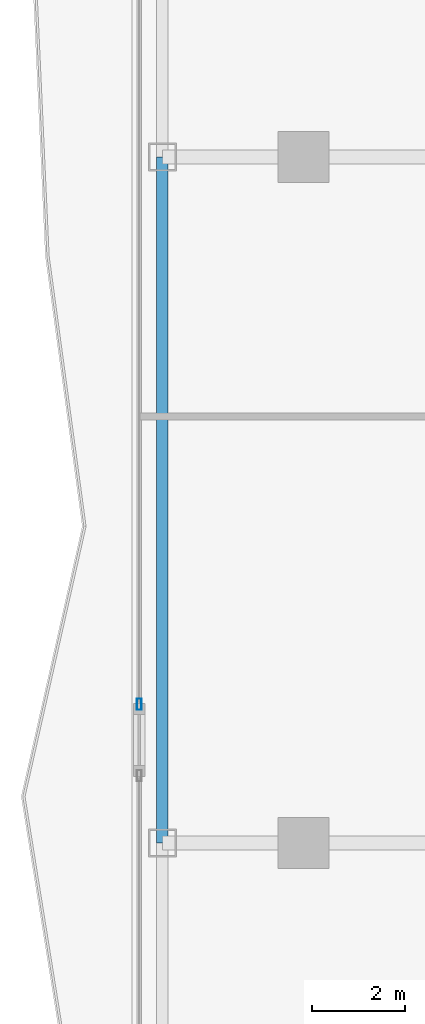
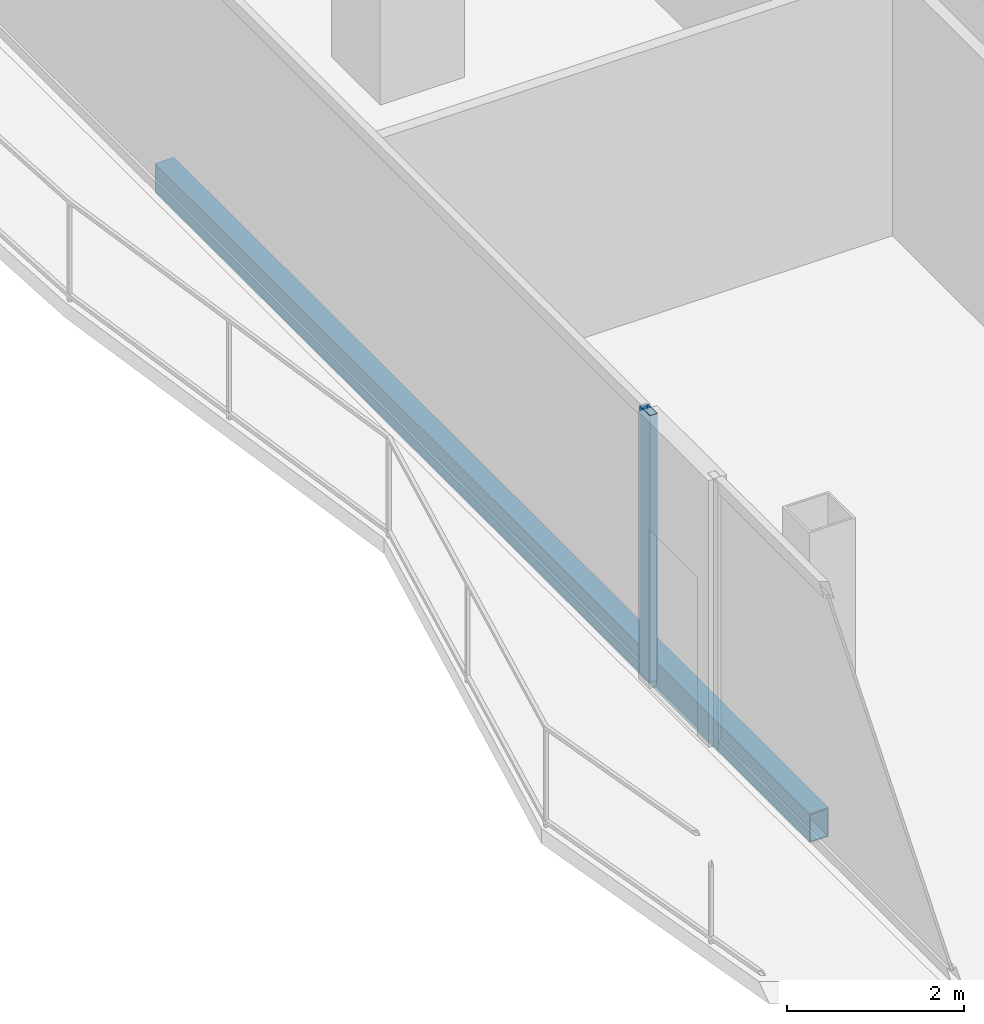
# One storey, part 8 of 27: 1 beam, 1 member, 1 element without a shape of its own.
"""IFC4 building model written with IfcOpenShell, lengths in metres."""

from ifc_helpers import new_model, si_unit, direction, frame, origin, origin_2d, place, context, subcontext, project, spatial, hollow_rectangle, extrude, material, layer, layer_set, material_profile, profile_set, type_object, element, aggregate, save


model = new_model("IFC4")

# Units and contexts
model_context = context("Model", 3, precision=1e-05, world=origin(), true_north=direction((0.0, 1.0)))
body_context = subcontext(model_context, "Body", "Model", "MODEL_VIEW")
ifc_project = project(units=[si_unit("LENGTHUNIT", "METRE"), si_unit("AREAUNIT", "SQUARE_METRE"), si_unit("VOLUMEUNIT", "CUBIC_METRE"), si_unit("PLANEANGLEUNIT", "RADIAN"), si_unit("MASSUNIT", "GRAM", prefix="KILO")], contexts=[model_context])

# Site, building, storey
site_placement = place(None, origin())
site = spatial("IfcSite", under=ifc_project, at=site_placement, CompositionType="ELEMENT")
building_placement = place(site_placement, origin())
building = spatial("IfcBuilding", under=site, at=building_placement, Name="Khorvyn Point Tower", CompositionType="ELEMENT")
storey_placement = place(building_placement, frame((0.0, 0.0, 227.39990234375)))
storey = spatial("IfcBuildingStorey", under=building, at=storey_placement, Name="L56", CompositionType="ELEMENT", Elevation=227.39990234375)

# Curtain wall, member
ifc_material_1 = material(Name="Anodised aluminium 6063-T6 and laminated Low-E glass", Category="aluminium")
ifc_layer = layer(ifc_material_1, 0.18994140625)
ifc_layer_set = layer_set([ifc_layer], Name="Stick-Built Acoustic Curtain Wall CW-SYS-03")
curtain_wall_type = type_object("IfcCurtainWallType", Name="Stick-Built Acoustic Curtain Wall CW-SYS-03", PredefinedType="NOTDEFINED", material=ifc_layer_set)
curtain_wall_placement = place(storey_placement, origin())
curtain_wall = element("IfcCurtainWall", 1, at=curtain_wall_placement, inside=storey, type_object=curtain_wall_type, Name="Curtain Wall", PredefinedType="NOTDEFINED")
ifc_material_2 = material(Name="Anodised aluminium 6063-T6", Category="aluminium")
ifc_material_profile_1 = material_profile(ifc_material_2, hollow_rectangle(XDim=0.10009765625, YDim=0.239990234375, WallThickness=0.0048828125, at=origin_2d()))
ifc_profile_set_1 = profile_set([ifc_material_profile_1], Name="Anodised aluminium 6063-T6 ALU-MUL-100x240")
member_type = type_object("IfcMemberType", Name="Anodised Aluminium 6063-T6 Mullion ALU-MUL-100x240", PredefinedType="MULLION", material=ifc_profile_set_1)
member_placement = place(storey_placement, frame((-18.35009765625, -4.409912109375, 0.0), z_axis=(0.0, 0.0, 1.0), x_axis=(-1.0, 0.0, 0.0)))
member = element("IfcMember", 2, at=member_placement, type_object=member_type, Name="Transom", PredefinedType="MULLION", context=body_context, shape_type="SweptSolid", body=[
    extrude(hollow_rectangle(XDim=0.10009765625, YDim=0.239990234375, WallThickness=0.0048828125, at=origin_2d()), origin(), (0.0, 0.0, 1.0), 3.68017578125),
])
aggregate(curtain_wall, [member])

# Beam
ifc_material_3 = material(Name="Steel S355", Category="steel")
ifc_material_profile_2 = material_profile(ifc_material_3, hollow_rectangle(XDim=0.25, YDim=0.39990234375, WallThickness=0.01611328125, at=origin_2d()))
ifc_profile_set_2 = profile_set([ifc_material_profile_2], Name="Steel S355 RHS400x250x16")
beam_type = type_object("IfcBeamType", Name="Steel S355 Spandrel RHS400x250x16", PredefinedType="SPANDREL", material=ifc_profile_set_2)
beam_placement = place(storey_placement, frame((-17.85009765625, -7.39990234375, -0.419921875), z_axis=(0.0, 1.0, 0.0), x_axis=(-1.0, 0.0, 0.0)))
element("IfcBeam", 3, at=beam_placement, inside=storey, type_object=beam_type, Name="Beam", PredefinedType="SPANDREL", context=body_context, shape_type="SweptSolid", body=[
    extrude(hollow_rectangle(XDim=0.25, YDim=0.39990234375, WallThickness=0.01611328125, at=origin_2d()), origin(), (0.0, 0.0, 1.0), 14.7998046875),
])

save(model, "model.ifc")
